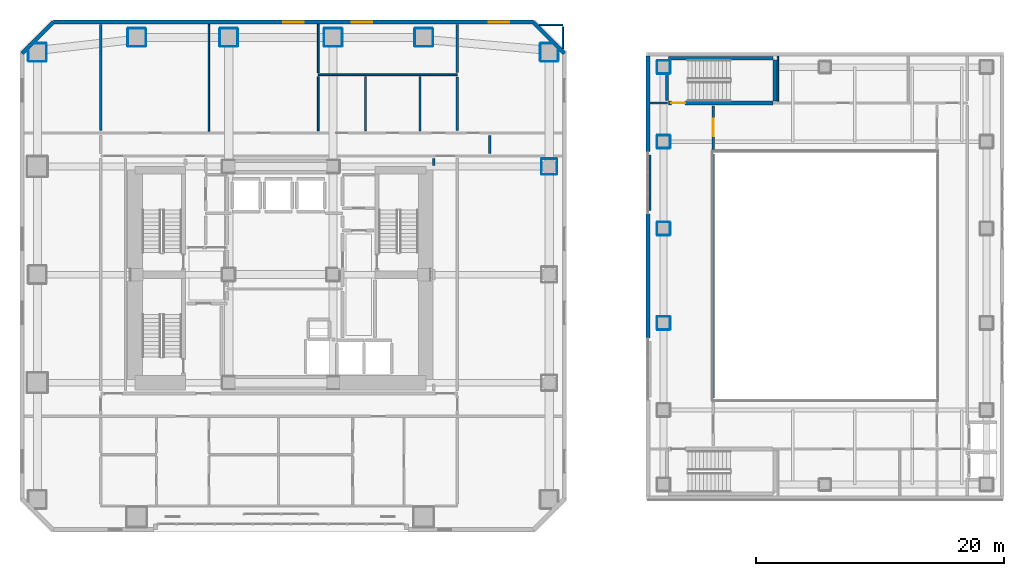
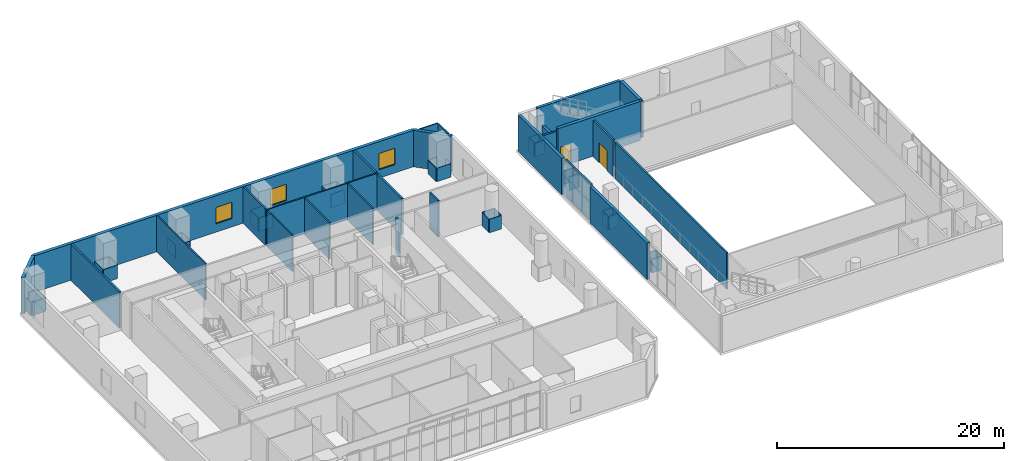
# One storey, part 19 of 24: 71 walls, 3 windows, 2 doors, 5 openings.
"""IFC4 building model written with IfcOpenShell, lengths in metres."""

from ifc_helpers import new_model, si_unit, direction, frame, frame_2d, origin, place, context, subcontext, project, spatial, rectangle, extrude, material, layer, layer_set, type_object, element, fill, save


model = new_model("IFC4")

# Units and contexts
model_context = context("Model", 3, precision=1e-05, world=origin(), true_north=direction((0.0, 1.0)))
body_context = subcontext(model_context, "Body", "Model", "MODEL_VIEW")
ifc_project = project(units=[si_unit("LENGTHUNIT", "METRE"), si_unit("AREAUNIT", "SQUARE_METRE"), si_unit("VOLUMEUNIT", "CUBIC_METRE"), si_unit("PLANEANGLEUNIT", "RADIAN"), si_unit("MASSUNIT", "GRAM", prefix="KILO")], contexts=[model_context])

# Site, building, storey
site_placement = place(None, origin())
site = spatial("IfcSite", under=ifc_project, at=site_placement, CompositionType="ELEMENT")
building_placement = place(site_placement, origin())
building = spatial("IfcBuilding", under=site, at=building_placement, Name="Solanera Arch Residences", CompositionType="ELEMENT")
storey_placement = place(building_placement, frame((0.0, 0.0, 5.199951171875)))
storey = spatial("IfcBuildingStorey", under=building, at=storey_placement, Name="L01", CompositionType="ELEMENT", Elevation=5.199951171875)

# Walls
ifc_material_1 = material(Name="Fire-Rated Gypsum Stud Partition", Category="gypsum")
ifc_layer_1 = layer(ifc_material_1, 0.06005859375)
ifc_layer_set_1 = layer_set([ifc_layer_1], Name="Fire-Rated Gypsum Stud Partition")
wall_type_1 = type_object("IfcWallType", Name="Column Acoustic Furring Wall 60", PredefinedType="PARTITIONING", material=ifc_layer_set_1)
for number, where, z_axis, x_axis, name in (
    (1, (12.699951171875, 49.068115234375, 0.0), (0.0, 0.0, 1.0), (1.0, 0.0, 0.0), "L01 Column Furring 11S"),
    (2, (12.699951171875, 50.531982421875, 0.0), (0.0, 0.0, 1.0), (1.0, 0.0, 0.0), "L01 Column Furring 11N"),
):
    element("IfcWall", number, at=place(storey_placement, frame(where, z_axis=z_axis, x_axis=x_axis)), inside=storey, type_object=wall_type_1, Name=name, PredefinedType="PARTITIONING", context=body_context, shape_type="SweptSolid", body=[
        extrude(rectangle(XDim=1.400146484375, YDim=0.06005859375, at=frame_2d((0.7001953125, 0.0))), origin(), (0.0, 0.0, 1.0), 1.449951171875),
    ])
for number, where, z_axis, x_axis, name in (
    (3, (12.66796875, 49.10009765625, 0.0), (0.0, 0.0, 1.0), (0.0, 1.0, 0.0), "L01 Column Furring 11W"),
    (4, (14.132080078125, 49.10009765625, 0.0), (0.0, 0.0, 1.0), (0.0, 1.0, 0.0), "L01 Column Furring 11E"),
    (5, (20.10009765625, 49.068115234375, 0.0), (0.0, 0.0, 1.0), (1.0, 0.0, 0.0), "L01 Column Furring 12S"),
    (6, (20.10009765625, 50.531982421875, 0.0), (0.0, 0.0, 1.0), (1.0, 0.0, 0.0), "L01 Column Furring 12N"),
    (7, (20.068115234375, 49.10009765625, 0.0), (0.0, 0.0, 1.0), (0.0, 1.0, 0.0), "L01 Column Furring 12W"),
    (8, (21.531982421875, 49.10009765625, 0.0), (0.0, 0.0, 1.0), (0.0, 1.0, 0.0), "L01 Column Furring 12E"),
    (9, (28.5, 49.068115234375, 0.0), (0.0, 0.0, 1.0), (1.0, 0.0, 0.0), "L01 Column Furring 13S"),
    (10, (28.5, 50.531982421875, 0.0), (0.0, 0.0, 1.0), (1.0, 0.0, 0.0), "L01 Column Furring 13N"),
    (11, (28.468017578125, 49.10009765625, 0.0), (0.0, 0.0, 1.0), (0.0, 1.0, 0.0), "L01 Column Furring 13W"),
    (12, (29.931884765625, 49.10009765625, 0.0), (0.0, 0.0, 1.0), (0.0, 1.0, 0.0), "L01 Column Furring 13E"),
    (13, (35.800048828125, 49.068115234375, 0.0), (0.0, 0.0, 1.0), (1.0, 0.0, 0.0), "L01 Column Furring 14S"),
    (14, (35.800048828125, 50.531982421875, 0.0), (0.0, 0.0, 1.0), (1.0, 0.0, 0.0), "L01 Column Furring 14N"),
    (15, (35.76806640625, 49.10009765625, 0.0), (0.0, 0.0, 1.0), (0.0, 1.0, 0.0), "L01 Column Furring 14W"),
    (16, (37.23193359375, 49.10009765625, 0.0), (0.0, 0.0, 1.0), (0.0, 1.0, 0.0), "L01 Column Furring 14E"),
):
    element("IfcWall", number, at=place(storey_placement, frame(where, z_axis=z_axis, x_axis=x_axis)), inside=storey, type_object=wall_type_1, Name=name, PredefinedType="PARTITIONING", context=body_context, shape_type="SweptSolid", body=[
        extrude(rectangle(XDim=1.39990234375, YDim=0.06005859375, at=frame_2d((0.699951171875, 0.0))), origin(), (0.0, 0.0, 1.0), 1.449951171875),
    ])
for number, where, z_axis, x_axis, name in (
    (17, (46.0, 38.76806640625, 0.0), (0.0, 0.0, 1.0), (1.0, 0.0, 0.0), "L01 Column Furring 20S"),
    (18, (46.0, 40.031982421875, 0.0), (0.0, 0.0, 1.0), (1.0, 0.0, 0.0), "L01 Column Furring 20N"),
    (19, (45.968017578125, 38.800048828125, 0.0), (0.0, 0.0, 1.0), (0.0, 1.0, 0.0), "L01 Column Furring 20W"),
    (20, (47.23193359375, 38.800048828125, 0.0), (0.0, 0.0, 1.0), (0.0, 1.0, 0.0), "L01 Column Furring 20E"),
):
    element("IfcWall", number, at=place(storey_placement, frame(where, z_axis=z_axis, x_axis=x_axis)), inside=storey, type_object=wall_type_1, Name=name, PredefinedType="PARTITIONING", context=body_context, shape_type="SweptSolid", body=[
        extrude(rectangle(XDim=1.199951171875, YDim=0.06005859375, at=frame_2d((0.60009765625, 0.0))), origin(), (0.0, 0.0, 1.0), 1.449951171875),
    ])
wall_1_placement = place(storey_placement, frame((4.699951171875, 47.867919921875, 0.0), z_axis=(0.0, 0.0, 1.0), x_axis=(1.0, 0.0, 0.0)))
element("IfcWall", 21, at=wall_1_placement, inside=storey, type_object=wall_type_1, Name="L01 Column Furring 23S", PredefinedType="PARTITIONING", context=body_context, shape_type="SweptSolid", body=[
    extrude(rectangle(XDim=1.400146484375, YDim=0.06005859375, at=frame_2d((0.7001953125, 0.0))), origin(), (0.0, 0.0, 1.0), 1.449951171875),
])
for number, where, z_axis, x_axis, name in (
    (22, (5.239013671875, 49.33203125, 0.0), (0.0, 0.0, 1.0), (1.0, 0.0, 0.0), "L01 Column Furring 23N"),
    (23, (4.66796875, 47.89990234375, 0.0), (0.0, 0.0, 1.0), (0.0, 1.0, 0.0), "L01 Column Furring 23W"),
):
    element("IfcWall", number, at=place(storey_placement, frame(where, z_axis=z_axis, x_axis=x_axis)), inside=storey, type_object=wall_type_1, Name=name, PredefinedType="PARTITIONING", context=body_context, shape_type="SweptSolid", body=[
        extrude(rectangle(XDim=0.861083984375, YDim=0.06005859375, at=frame_2d((0.4306640625, 0.0))), origin(), (0.0, 0.0, 1.0), 1.449951171875),
    ])
for number, where, z_axis, x_axis, name in (
    (24, (6.132080078125, 47.89990234375, 0.0), (0.0, 0.0, 1.0), (0.0, 1.0, 0.0), "L01 Column Furring 23E"),
    (25, (45.89990234375, 47.867919921875, 0.0), (0.0, 0.0, 1.0), (1.0, 0.0, 0.0), "L01 Column Furring 24S"),
):
    element("IfcWall", number, at=place(storey_placement, frame(where, z_axis=z_axis, x_axis=x_axis)), inside=storey, type_object=wall_type_1, Name=name, PredefinedType="PARTITIONING", context=body_context, shape_type="SweptSolid", body=[
        extrude(rectangle(XDim=1.400146484375, YDim=0.06005859375, at=frame_2d((0.7001953125, 0.0))), origin(), (0.0, 0.0, 1.0), 1.449951171875),
    ])
wall_2_placement = place(storey_placement, frame((45.89990234375, 49.33203125, 0.0), z_axis=(0.0, 0.0, 1.0), x_axis=(1.0, 0.0, 0.0)))
element("IfcWall", 26, at=wall_2_placement, inside=storey, type_object=wall_type_1, Name="L01 Column Furring 24N", PredefinedType="PARTITIONING", context=body_context, shape_type="SweptSolid", body=[
    extrude(rectangle(XDim=0.861083984375, YDim=0.06005859375, at=frame_2d((0.4306640625, 0.0))), origin(), (0.0, 0.0, 1.0), 1.449951171875),
])
wall_3_placement = place(storey_placement, frame((45.867919921875, 47.89990234375, 0.0), z_axis=(0.0, 0.0, 1.0), x_axis=(0.0, 1.0, 0.0)))
element("IfcWall", 27, at=wall_3_placement, inside=storey, type_object=wall_type_1, Name="L01 Column Furring 24W", PredefinedType="PARTITIONING", context=body_context, shape_type="SweptSolid", body=[
    extrude(rectangle(XDim=1.400146484375, YDim=0.06005859375, at=frame_2d((0.7001953125, 0.0))), origin(), (0.0, 0.0, 1.0), 1.449951171875),
])
wall_4_placement = place(storey_placement, frame((47.33203125, 47.89990234375, 0.0), z_axis=(0.0, 0.0, 1.0), x_axis=(0.0, 1.0, 0.0)))
element("IfcWall", 28, at=wall_4_placement, inside=storey, type_object=wall_type_1, Name="L01 Column Furring 24E", PredefinedType="PARTITIONING", context=body_context, shape_type="SweptSolid", body=[
    extrude(rectangle(XDim=0.861083984375, YDim=0.06005859375, at=frame_2d((0.4306640625, 0.0))), origin(), (0.0, 0.0, 1.0), 1.449951171875),
])
for number, where, z_axis, x_axis, name in (
    (29, (55.300048828125, 26.26806640625, 0.0), (0.0, 0.0, 1.0), (1.0, 0.0, 0.0), "L01 Column Furring 27S"),
    (30, (55.300048828125, 27.33203125, 0.0), (0.0, 0.0, 1.0), (1.0, 0.0, 0.0), "L01 Column Furring 27N"),
    (31, (55.26806640625, 26.300048828125, 0.0), (0.0, 0.0, 1.0), (0.0, 1.0, 0.0), "L01 Column Furring 27W"),
    (32, (56.33203125, 26.300048828125, 0.0), (0.0, 0.0, 1.0), (0.0, 1.0, 0.0), "L01 Column Furring 27E"),
    (33, (55.300048828125, 33.867919921875, 0.0), (0.0, 0.0, 1.0), (1.0, 0.0, 0.0), "L01 Column Furring 28S"),
    (34, (55.300048828125, 34.931884765625, 0.0), (0.0, 0.0, 1.0), (1.0, 0.0, 0.0), "L01 Column Furring 28N"),
    (35, (55.26806640625, 33.89990234375, 0.0), (0.0, 0.0, 1.0), (0.0, 1.0, 0.0), "L01 Column Furring 28W"),
    (36, (56.33203125, 33.89990234375, 0.0), (0.0, 0.0, 1.0), (0.0, 1.0, 0.0), "L01 Column Furring 28E"),
    (37, (55.300048828125, 40.867919921875, 0.0), (0.0, 0.0, 1.0), (1.0, 0.0, 0.0), "L01 Column Furring 29S"),
    (38, (55.300048828125, 41.931884765625, 0.0), (0.0, 0.0, 1.0), (1.0, 0.0, 0.0), "L01 Column Furring 29N"),
    (39, (55.26806640625, 40.89990234375, 0.0), (0.0, 0.0, 1.0), (0.0, 1.0, 0.0), "L01 Column Furring 29W"),
    (40, (56.33203125, 40.89990234375, 0.0), (0.0, 0.0, 1.0), (0.0, 1.0, 0.0), "L01 Column Furring 29E"),
    (41, (55.300048828125, 46.867919921875, 0.0), (0.0, 0.0, 1.0), (1.0, 0.0, 0.0), "L01 Column Furring 30S"),
    (42, (55.300048828125, 47.931884765625, 0.0), (0.0, 0.0, 1.0), (1.0, 0.0, 0.0), "L01 Column Furring 30N"),
    (43, (55.26806640625, 46.89990234375, 0.0), (0.0, 0.0, 1.0), (0.0, 1.0, 0.0), "L01 Column Furring 30W"),
    (44, (56.33203125, 46.89990234375, 0.0), (0.0, 0.0, 1.0), (0.0, 1.0, 0.0), "L01 Column Furring 30E"),
):
    element("IfcWall", number, at=place(storey_placement, frame(where, z_axis=z_axis, x_axis=x_axis)), inside=storey, type_object=wall_type_1, Name=name, PredefinedType="PARTITIONING", context=body_context, shape_type="SweptSolid", body=[
        extrude(rectangle(XDim=1.0, YDim=0.06005859375, at=frame_2d((0.5, 0.0))), origin(), (0.0, 0.0, 1.0), 1.449951171875),
    ])
ifc_material_2 = material(Name="Concrete C40/50 (f'c = 45 MPa)", Category="concrete")
ifc_layer_2 = layer(ifc_material_2, 0.320068359375)
ifc_layer_set_2 = layer_set([ifc_layer_2], Name="Concrete C40/50 (f'c = 45 MPa)")
wall_type_2 = type_object("IfcWallType", Name="Core Shear Wall CW-320", PredefinedType="SHEAR", material=ifc_layer_set_2)
wall_5_placement = place(storey_placement, frame((64.760009765625, 44.679931640625, 0.0), z_axis=(0.0, 0.0, 1.0), x_axis=(0.0, 1.0, 0.0)))
element("IfcWall", 45, at=wall_5_placement, inside=storey, type_object=wall_type_2, Name="L01 Stair ST-H2 East Shear Wall", PredefinedType="SHEAR", context=body_context, shape_type="SweptSolid", body=[
    extrude(rectangle(XDim=3.320068359375, YDim=0.320068359375, at=frame_2d((1.66015625, 0.0))), origin(), (0.0, 0.0, 1.0), 4.199951171875),
])
wall_6_placement = place(storey_placement, frame((56.199951171875, 48.139892578125, 0.0), z_axis=(0.0, 0.0, 1.0), x_axis=(1.0, 0.0, 0.0)))
element("IfcWall", 46, at=wall_6_placement, inside=storey, type_object=wall_type_2, Name="L01 Stair ST-H2 North Shear Wall", PredefinedType="SHEAR", context=body_context, shape_type="SweptSolid", body=[
    extrude(rectangle(XDim=8.400146484375, YDim=0.280029296875, at=frame_2d((4.2001953125, 0.0))), origin(), (0.0, 0.0, 1.0), 4.199951171875),
])

# Wall, opening, door
wall_7_placement = place(storey_placement, frame((56.199951171875, 44.52001953125, 0.0), z_axis=(0.0, 0.0, 1.0), x_axis=(1.0, 0.0, 0.0)))
wall_7 = element("IfcWall", 47, at=wall_7_placement, inside=storey, type_object=wall_type_2, Name="L01 Stair ST-H2 South Shear Wall", PredefinedType="SHEAR", context=body_context, shape_type="SweptSolid", body=[
    extrude(rectangle(XDim=8.400146484375, YDim=0.320068359375, at=frame_2d((4.2001953125, 0.0))), origin(), (0.0, 0.0, 1.0), 4.199951171875),
])
opening_1_placement = place(wall_7_placement, frame((0.22998046875, 0.0, 0.0)))
opening_1 = element("IfcOpeningElement", 48, at=opening_1_placement, cuts=wall_7, Name="Opening DF-01", PredefinedType="OPENING", context=body_context, shape_type="SweptSolid", body=[
    extrude(rectangle(XDim=1.10009765625, YDim=2.14990234375, at=frame_2d((0.550048828125, 1.074951171875))), frame((0.0, 0.169921875, 0.0), z_axis=(0.0, -1.0, 0.0), x_axis=(1.0, 0.0, 0.0)), (0.0, 0.0, 1.0), 0.3401),
])
ifc_material_3 = material(Name="Fire-Rated Architectural Hardwood", Category="wood")
door_type_1 = type_object("IfcDoorType", Name="Stair Exit Fire Door DF-01", OperationType="NOTDEFINED", PredefinedType="DOOR", material=ifc_material_3)
door_1_placement = place(opening_1_placement, origin())
door_1 = element("IfcDoor", 49, at=door_1_placement, inside=storey, type_object=door_type_1, Name="DR-L01-STAIR-ST-H2", OperationType="SINGLE_SWING_RIGHT", OverallHeight=2.14990234375, OverallWidth=1.10009765625, PredefinedType="DOOR", context=body_context, shape_type="SweptSolid", body=[
    extrude(rectangle(XDim=1.10009765625, YDim=2.14990234375, at=frame_2d((0.550048828125, 1.074951171875))), frame((0.0, 0.02490234375, 0.0), z_axis=(0.0, -1.0, 0.0), x_axis=(1.0, 0.0, 0.0)), (0.0, 0.0, 1.0), 0.050048828125),
])
fill(opening_1, door_1)

# Walls
ifc_material_4 = material(Name="Autoclaved Aerated Concrete Blockwork", Category="masonry")
ifc_layer_3 = layer(ifc_material_4, 0.179931640625)
ifc_layer_set_3 = layer_set([ifc_layer_3], Name="Autoclaved Aerated Concrete Blockwork")
wall_type_3 = type_object("IfcWallType", Name="Corridor Fire Partition 180", PredefinedType="PARTITIONING", material=ifc_layer_set_3)
wall_8_placement = place(storey_placement, frame((54.7119140625, 44.52001953125, 0.0), z_axis=(0.0, 0.0, 1.0), x_axis=(1.0, 0.0, 0.0)))
element("IfcWall", 50, at=wall_8_placement, inside=storey, type_object=wall_type_3, Name="L01 Interior Partition H16 1", PredefinedType="PARTITIONING", context=body_context, shape_type="SweptSolid", body=[
    extrude(rectangle(XDim=1.38818359375, YDim=0.179931640625, at=frame_2d((0.694091796875, 0.0))), origin(), (0.0, 0.0, 1.0), 3.920166015625),
])
wall_9_placement = place(storey_placement, frame((10.5, 42.2880859375, 0.0), z_axis=(0.0, 0.0, 1.0), x_axis=(0.0, 1.0, 0.0)))
element("IfcWall", 51, at=wall_9_placement, inside=storey, type_object=wall_type_3, Name="L01 Interior Partition V7 6", PredefinedType="PARTITIONING", context=body_context, shape_type="SweptSolid", body=[
    extrude(rectangle(XDim=8.559814453125, YDim=0.179931640625, at=frame_2d((4.27978515625, 0.0))), origin(), (0.0, 0.0, 1.0), 3.920166015625),
])
wall_10_placement = place(storey_placement, frame((37.300048828125, 39.491943359375, 0.0), z_axis=(0.0, 0.0, 1.0), x_axis=(0.0, 1.0, 0.0)))
element("IfcWall", 52, at=wall_10_placement, inside=storey, type_object=wall_type_3, Name="L01 Interior Partition V9 3", PredefinedType="PARTITIONING", context=body_context, shape_type="SweptSolid", body=[
    extrude(rectangle(XDim=0.570068359375, YDim=0.179931640625, at=frame_2d((0.28515625, 0.0))), origin(), (0.0, 0.0, 1.0), 3.920166015625),
])
wall_11_placement = place(storey_placement, frame((39.199951171875, 42.2880859375, 0.0), z_axis=(0.0, 0.0, 1.0), x_axis=(0.0, 1.0, 0.0)))
element("IfcWall", 53, at=wall_11_placement, inside=storey, type_object=wall_type_3, Name="L01 Interior Partition V11 1", PredefinedType="PARTITIONING", context=body_context, shape_type="SweptSolid", body=[
    extrude(rectangle(XDim=4.343994140625, YDim=0.179931640625, at=frame_2d((2.171875, 0.0))), origin(), (0.0, 0.0, 1.0), 3.920166015625),
])
wall_12_placement = place(storey_placement, frame((39.199951171875, 46.968017578125, 0.0), z_axis=(0.0, 0.0, 1.0), x_axis=(0.0, 1.0, 0.0)))
element("IfcWall", 54, at=wall_12_placement, inside=storey, type_object=wall_type_3, Name="L01 Interior Partition V11 2", PredefinedType="PARTITIONING", context=body_context, shape_type="SweptSolid", body=[
    extrude(rectangle(XDim=3.8798828125, YDim=0.179931640625, at=frame_2d((1.93994140625, 0.0))), origin(), (0.0, 0.0, 1.0), 3.920166015625),
])
wall_13_placement = place(storey_placement, frame((41.800048828125, 40.43798828125, 0.0), z_axis=(0.0, 0.0, 1.0), x_axis=(0.0, 1.0, 0.0)))
element("IfcWall", 55, at=wall_13_placement, inside=storey, type_object=wall_type_3, Name="L01 Interior Partition V12", PredefinedType="PARTITIONING", context=body_context, shape_type="SweptSolid", body=[
    extrude(rectangle(XDim=1.47412109375, YDim=0.179931640625, at=frame_2d((0.737060546875, 0.0))), origin(), (0.0, 0.0, 1.0), 3.920166015625),
])
wall_14_placement = place(storey_placement, frame((54.699951171875, 35.8701171875, 0.0), z_axis=(0.0, 0.0, 1.0), x_axis=(0.0, 1.0, 0.0)))
element("IfcWall", 56, at=wall_14_placement, inside=storey, type_object=wall_type_3, Name="L01 Interior Partition V13 2", PredefinedType="PARTITIONING", context=body_context, shape_type="SweptSolid", body=[
    extrude(rectangle(XDim=4.4599609375, YDim=0.179931640625, at=frame_2d((2.22998046875, 0.0))), origin(), (0.0, 0.0, 1.0), 3.920166015625),
])
wall_15_placement = place(storey_placement, frame((59.800048828125, 20.7880859375, 0.0), z_axis=(0.0, 0.0, 1.0), x_axis=(0.0, 1.0, 0.0)))
element("IfcWall", 57, at=wall_15_placement, inside=storey, type_object=wall_type_3, Name="L01 Interior Partition V14 2", PredefinedType="PARTITIONING", context=body_context, shape_type="SweptSolid", body=[
    extrude(rectangle(XDim=19.6240234375, YDim=0.179931640625, at=frame_2d((9.81201171875, 0.0))), origin(), (0.0, 0.0, 1.0), 3.920166015625),
])

# Wall, opening, door
wall_16_placement = place(storey_placement, frame((59.800048828125, 40.7880859375, 0.0), z_axis=(0.0, 0.0, 1.0), x_axis=(0.0, 1.0, 0.0)))
wall_16 = element("IfcWall", 58, at=wall_16_placement, inside=storey, type_object=wall_type_3, Name="L01 Interior Partition V14 3", PredefinedType="PARTITIONING", context=body_context, shape_type="SweptSolid", body=[
    extrude(rectangle(XDim=3.471923828125, YDim=0.179931640625, at=frame_2d((1.73583984375, 0.0))), origin(), (0.0, 0.0, 1.0), 3.920166015625),
])
opening_2_placement = place(wall_16_placement, frame((1.048095703125, 0.0, 0.0)))
opening_2 = element("IfcOpeningElement", 59, at=opening_2_placement, cuts=wall_16, Name="Opening DF-03", PredefinedType="OPENING", context=body_context, shape_type="SweptSolid", body=[
    extrude(rectangle(XDim=1.39990234375, YDim=2.14990234375, at=frame_2d((0.699951171875, 1.074951171875))), frame((0.0, 0.10009765625, 0.0), z_axis=(0.0, -1.0, 0.0), x_axis=(1.0, 0.0, 0.0)), (0.0, 0.0, 1.0), 0.1999),
])
ifc_material_5 = material(Name="Fire-Rated Architectural Hardwood", Category="wood")
door_type_2 = type_object("IfcDoorType", Name="Corridor Smoke Door DF-03", OperationType="NOTDEFINED", PredefinedType="DOOR", material=ifc_material_5)
door_2_placement = place(opening_2_placement, origin())
door_2 = element("IfcDoor", 60, at=door_2_placement, inside=storey, type_object=door_type_2, Name="DR-L01-IN-019", OperationType="SINGLE_SWING_RIGHT", OverallHeight=2.14990234375, OverallWidth=1.39990234375, PredefinedType="DOOR", context=body_context, shape_type="SweptSolid", body=[
    extrude(rectangle(XDim=1.39990234375, YDim=2.14990234375, at=frame_2d((0.699951171875, 1.074951171875))), frame((0.0, 0.02490234375, 0.0), z_axis=(0.0, -1.0, 0.0), x_axis=(1.0, 0.0, 0.0)), (0.0, 0.0, 1.0), 0.050048828125),
])
fill(opening_2, door_2)

# Walls
ifc_material_6 = material(Name="Precast Concrete C35/45", Category="concrete")
ifc_layer_4 = layer(ifc_material_6, 0.300048828125)
ifc_layer_set_4 = layer_set([ifc_layer_4], Name="Precast Concrete C35/45")
wall_type_4 = type_object("IfcWallType", Name="Exterior Wall Precast Masonry-Frame 300", PredefinedType="STANDARD", material=ifc_layer_set_4)
wall_17_placement = place(storey_placement, frame((54.550048828125, 25.60009765625, 0.0), z_axis=(0.0, 0.0, 1.0), x_axis=(0.0, 1.0, 0.0)))
element("IfcWall", 61, at=wall_17_placement, inside=storey, type_object=wall_type_4, Name="L01 Sports Hall West Central Pier", PredefinedType="STANDARD", context=body_context, shape_type="SweptSolid", body=[
    extrude(rectangle(XDim=10.0, YDim=0.300048828125, at=frame_2d((5.0, 0.0))), origin(), (0.0, 0.0, 1.0), 3.920166015625),
])
wall_18_placement = place(storey_placement, frame((54.550048828125, 40.60009765625, 0.0), z_axis=(0.0, 0.0, 1.0), x_axis=(0.0, 1.0, 0.0)))
element("IfcWall", 62, at=wall_18_placement, inside=storey, type_object=wall_type_4, Name="L01 Sports Hall West Pier 3", PredefinedType="STANDARD", context=body_context, shape_type="SweptSolid", body=[
    extrude(rectangle(XDim=7.699951171875, YDim=0.300048828125, at=frame_2d((3.85009765625, 0.0))), origin(), (0.0, 0.0, 1.0), 3.920166015625),
])
ifc_material_7 = material(Name="Precast Concrete C35/45", Category="concrete")
ifc_layer_5 = layer(ifc_material_7, 0.320068359375)
ifc_layer_set_5 = layer_set([ifc_layer_5], Name="Precast Concrete C35/45")
wall_type_5 = type_object("IfcWallType", Name="Exterior Wall Precast Masonry-Frame 320", PredefinedType="STANDARD", material=ifc_layer_set_5)
wall_19_placement = place(storey_placement, frame((4.179931640625, 48.52001953125, 0.0), z_axis=(0.0, 0.0, 1.0), x_axis=(0.707106781187, 0.707106781187, 0.0)))
element("IfcWall", 63, at=wall_19_placement, inside=storey, type_object=wall_type_5, Name="L01 Podium Precast Masonry-Frame Wall 2", PredefinedType="STANDARD", context=body_context, shape_type="SweptSolid", body=[
    extrude(rectangle(XDim=3.53564453125, YDim=0.320068359375, at=frame_2d((1.767822265625, 0.0))), origin(), (0.0, 0.0, 1.0), 3.920166015625),
])

# Wall, openings, windows
wall_20_placement = place(storey_placement, frame((6.679931640625, 51.02001953125, 0.0), z_axis=(0.0, 0.0, 1.0), x_axis=(1.0, 0.0, 0.0)))
wall_20 = element("IfcWall", 64, at=wall_20_placement, inside=storey, type_object=wall_type_5, Name="L01 Podium Precast Masonry-Frame Wall 3", PredefinedType="STANDARD", context=body_context, shape_type="SweptSolid", body=[
    extrude(rectangle(XDim=38.64013671875, YDim=0.320068359375, at=frame_2d((19.320068359375, 0.0))), origin(), (0.0, 0.0, 1.0), 3.920166015625),
])
opening_3_placement = place(wall_20_placement, frame((18.4951171875, 0.0, 0.89990234375)))
opening_3 = element("IfcOpeningElement", 65, at=opening_3_placement, cuts=wall_20, Name="Opening W-08", PredefinedType="OPENING", context=body_context, shape_type="SweptSolid", body=[
    extrude(rectangle(XDim=1.64990234375, YDim=1.75, at=frame_2d((0.824951171875, 0.875))), frame((0.0, 0.169921875, 0.0), z_axis=(0.0, -1.0, 0.0), x_axis=(1.0, 0.0, 0.0)), (0.0, 0.0, 1.0), 0.3401),
])
opening_4_placement = place(wall_20_placement, frame((24.014892578125, 0.0, 0.89990234375)))
opening_4 = element("IfcOpeningElement", 66, at=opening_4_placement, cuts=wall_20, Name="Opening W-08", PredefinedType="OPENING", context=body_context, shape_type="SweptSolid", body=[
    extrude(rectangle(XDim=1.64990234375, YDim=1.75, at=frame_2d((0.824951171875, 0.875))), frame((0.0, 0.169921875, 0.0), z_axis=(0.0, -1.0, 0.0), x_axis=(1.0, 0.0, 0.0)), (0.0, 0.0, 1.0), 0.3401),
])
opening_5_placement = place(wall_20_placement, frame((35.054931640625, 0.0, 0.89990234375)))
opening_5 = element("IfcOpeningElement", 67, at=opening_5_placement, cuts=wall_20, Name="Opening W-08", PredefinedType="OPENING", context=body_context, shape_type="SweptSolid", body=[
    extrude(rectangle(XDim=1.64990234375, YDim=1.75, at=frame_2d((0.824951171875, 0.875))), frame((0.0, 0.169921875, 0.0), z_axis=(0.0, -1.0, 0.0), x_axis=(1.0, 0.0, 0.0)), (0.0, 0.0, 1.0), 0.3401),
])
ifc_material_8 = material(Name="Double Glazed Low-E Laminated Glass", Category="glass")
window_type = type_object("IfcWindowType", Name="Punched Window W-08", PartitioningType="DOUBLE_PANEL_HORIZONTAL", PredefinedType="WINDOW", material=ifc_material_8)
window_1_placement = place(opening_3_placement, origin())
window_1 = element("IfcWindow", 68, at=window_1_placement, inside=storey, type_object=window_type, Name="L01 Podium Window 3.4", OverallHeight=1.75, OverallWidth=1.64990234375, PartitioningType="SINGLE_PANEL", PredefinedType="WINDOW", context=body_context, shape_type="SweptSolid", body=[
    extrude(rectangle(XDim=1.64990234375, YDim=1.75, at=frame_2d((0.824951171875, 0.875))), frame((0.0, 0.030029296875, 0.0), z_axis=(0.0, -1.0, 0.0), x_axis=(1.0, 0.0, 0.0)), (0.0, 0.0, 1.0), 0.06005859375),
])
fill(opening_3, window_1)
window_2_placement = place(opening_4_placement, origin())
window_2 = element("IfcWindow", 69, at=window_2_placement, inside=storey, type_object=window_type, Name="L01 Podium Window 3.5", OverallHeight=1.75, OverallWidth=1.64990234375, PartitioningType="SINGLE_PANEL", PredefinedType="WINDOW", context=body_context, shape_type="SweptSolid", body=[
    extrude(rectangle(XDim=1.64990234375, YDim=1.75, at=frame_2d((0.824951171875, 0.875))), frame((0.0, 0.030029296875, 0.0), z_axis=(0.0, -1.0, 0.0), x_axis=(1.0, 0.0, 0.0)), (0.0, 0.0, 1.0), 0.06005859375),
])
fill(opening_4, window_2)
window_3_placement = place(opening_5_placement, origin())
window_3 = element("IfcWindow", 70, at=window_3_placement, inside=storey, type_object=window_type, Name="L01 Podium Window 3.7", OverallHeight=1.75, OverallWidth=1.64990234375, PartitioningType="SINGLE_PANEL", PredefinedType="WINDOW", context=body_context, shape_type="SweptSolid", body=[
    extrude(rectangle(XDim=1.64990234375, YDim=1.75, at=frame_2d((0.824951171875, 0.875))), frame((0.0, 0.030029296875, 0.0), z_axis=(0.0, -1.0, 0.0), x_axis=(1.0, 0.0, 0.0)), (0.0, 0.0, 1.0), 0.06005859375),
])
fill(opening_5, window_3)

# Walls
wall_21_placement = place(storey_placement, frame((45.320068359375, 51.02001953125, 0.0), z_axis=(0.0, 0.0, 1.0), x_axis=(0.707106781187, -0.707106781187, 0.0)))
element("IfcWall", 71, at=wall_21_placement, inside=storey, type_object=wall_type_5, Name="L01 Podium Precast Masonry-Frame Wall 4", PredefinedType="STANDARD", context=body_context, shape_type="SweptSolid", body=[
    extrude(rectangle(XDim=3.53564453125, YDim=0.320068359375, at=frame_2d((1.767822265625, 0.0))), origin(), (0.0, 0.0, 1.0), 3.920166015625),
])
ifc_material_9 = material(Name="Autoclaved Aerated Concrete Blockwork", Category="masonry")
ifc_layer_6 = layer(ifc_material_9, 0.239990234375)
ifc_layer_set_6 = layer_set([ifc_layer_6], Name="Autoclaved Aerated Concrete Blockwork")
wall_type_6 = type_object("IfcWallType", Name="Shaft Wall Fire-Rated 240", PredefinedType="PARTITIONING", material=ifc_layer_set_6)
wall_22_placement = place(storey_placement, frame((56.080078125, 44.72998046875, 0.0), z_axis=(0.0, 0.0, 1.0), x_axis=(0.0, 1.0, 0.0)))
element("IfcWall", 72, at=wall_22_placement, inside=storey, type_object=wall_type_6, Name="L01 Stair ST-H2 West Wall", PredefinedType="PARTITIONING", context=body_context, shape_type="SweptSolid", body=[
    extrude(rectangle(XDim=2.0380859375, YDim=0.239990234375, at=frame_2d((1.01904296875, 0.0))), origin(), (0.0, 0.0, 1.0), 3.155029296875),
])
ifc_material_10 = material(Name="Fire-Rated Gypsum Stud Partition", Category="gypsum")
ifc_layer_7 = layer(ifc_material_10, 0.1201171875)
ifc_layer_set_7 = layer_set([ifc_layer_7], Name="Fire-Rated Gypsum Stud Partition")
wall_type_7 = type_object("IfcWallType", Name="Unit Drywall Partition 120", PredefinedType="PARTITIONING", material=ifc_layer_set_7)
wall_23_placement = place(storey_placement, frame((45.782958984375, 50.800048828125, 0.0), z_axis=(0.0, 0.0, 1.0), x_axis=(1.0, 0.0, 0.0)))
element("IfcWall", 73, at=wall_23_placement, inside=storey, type_object=wall_type_7, Name="L01 Interior Partition H25", PredefinedType="PARTITIONING", context=body_context, shape_type="SweptSolid", body=[
    extrude(rectangle(XDim=1.9169921875, YDim=0.1201171875, at=frame_2d((0.95849609375, 0.0))), origin(), (0.0, 0.0, 1.0), 3.920166015625),
])
wall_24_placement = place(storey_placement, frame((19.199951171875, 42.258056640625, 0.0), z_axis=(0.0, 0.0, 1.0), x_axis=(0.0, 1.0, 0.0)))
element("IfcWall", 74, at=wall_24_placement, inside=storey, type_object=wall_type_7, Name="L01 Interior Partition V27", PredefinedType="PARTITIONING", context=body_context, shape_type="SweptSolid", body=[
    extrude(rectangle(XDim=8.58984375, YDim=0.1201171875, at=frame_2d((4.294921875, 0.0))), origin(), (0.0, 0.0, 1.0), 3.920166015625),
])
wall_25_placement = place(storey_placement, frame((47.699951171875, 48.883056640625, 0.0), z_axis=(0.0, 0.0, 1.0), x_axis=(0.0, 1.0, 0.0)))
element("IfcWall", 75, at=wall_25_placement, inside=storey, type_object=wall_type_7, Name="L01 Interior Partition V30", PredefinedType="PARTITIONING", context=body_context, shape_type="SweptSolid", body=[
    extrude(rectangle(XDim=1.7890625, YDim=0.1201171875, at=frame_2d((0.89453125, 0.0))), origin(), (0.0, 0.0, 1.0), 3.920166015625),
])
wall_26_placement = place(storey_placement, frame((65.0, 44.677978515625, 0.0), z_axis=(0.0, 0.0, 1.0), x_axis=(0.0, 1.0, 0.0)))
element("IfcWall", 76, at=wall_26_placement, inside=storey, type_object=wall_type_7, Name="L01 Interior Partition V32", PredefinedType="PARTITIONING", context=body_context, shape_type="SweptSolid", body=[
    extrude(rectangle(XDim=3.610107421875, YDim=0.1201171875, at=frame_2d((1.80517578125, 0.0))), origin(), (0.0, 0.0, 1.0), 3.920166015625),
])
ifc_material_11 = material(Name="Autoclaved Aerated Concrete Blockwork", Category="masonry")
ifc_layer_8 = layer(ifc_material_11, 0.139892578125)
ifc_layer_set_8 = layer_set([ifc_layer_8], Name="Autoclaved Aerated Concrete Blockwork")
wall_type_8 = type_object("IfcWallType", Name="Wet-Room Partition 140", PredefinedType="PARTITIONING", material=ifc_layer_set_8)
wall_27_placement = place(storey_placement, frame((28.0, 46.800048828125, 0.0), z_axis=(0.0, 0.0, 1.0), x_axis=(1.0, 0.0, 0.0)))
element("IfcWall", 77, at=wall_27_placement, inside=storey, type_object=wall_type_8, Name="L01 Interior Partition H21", PredefinedType="PARTITIONING", context=body_context, shape_type="SweptSolid", body=[
    extrude(rectangle(XDim=11.199951171875, YDim=0.139892578125, at=frame_2d((5.60009765625, 0.0))), origin(), (0.0, 0.0, 1.0), 3.920166015625),
])
wall_28_placement = place(storey_placement, frame((28.0, 42.26806640625, 0.0), z_axis=(0.0, 0.0, 1.0), x_axis=(0.0, 1.0, 0.0)))
element("IfcWall", 78, at=wall_28_placement, inside=storey, type_object=wall_type_8, Name="L01 Interior Partition V19 1", PredefinedType="PARTITIONING", context=body_context, shape_type="SweptSolid", body=[
    extrude(rectangle(XDim=4.384033203125, YDim=0.139892578125, at=frame_2d((2.19189453125, 0.0))), origin(), (0.0, 0.0, 1.0), 3.920166015625),
])
wall_29_placement = place(storey_placement, frame((28.0, 46.947998046875, 0.0), z_axis=(0.0, 0.0, 1.0), x_axis=(0.0, 1.0, 0.0)))
element("IfcWall", 79, at=wall_29_placement, inside=storey, type_object=wall_type_8, Name="L01 Interior Partition V19 2", PredefinedType="PARTITIONING", context=body_context, shape_type="SweptSolid", body=[
    extrude(rectangle(XDim=3.89990234375, YDim=0.139892578125, at=frame_2d((1.949951171875, 0.0))), origin(), (0.0, 0.0, 1.0), 3.920166015625),
])
for number, where, z_axis, x_axis, name in (
    (80, (31.800048828125, 42.26806640625, 0.0), (0.0, 0.0, 1.0), (0.0, 1.0, 0.0), "L01 Interior Partition V21"),
    (81, (36.199951171875, 42.26806640625, 0.0), (0.0, 0.0, 1.0), (0.0, 1.0, 0.0), "L01 Interior Partition V22"),
):
    element("IfcWall", number, at=place(storey_placement, frame(where, z_axis=z_axis, x_axis=x_axis)), inside=storey, type_object=wall_type_8, Name=name, PredefinedType="PARTITIONING", context=body_context, shape_type="SweptSolid", body=[
        extrude(rectangle(XDim=4.384033203125, YDim=0.139892578125, at=frame_2d((2.19189453125, 0.0))), origin(), (0.0, 0.0, 1.0), 3.920166015625),
    ])

save(model, "model.ifc")
